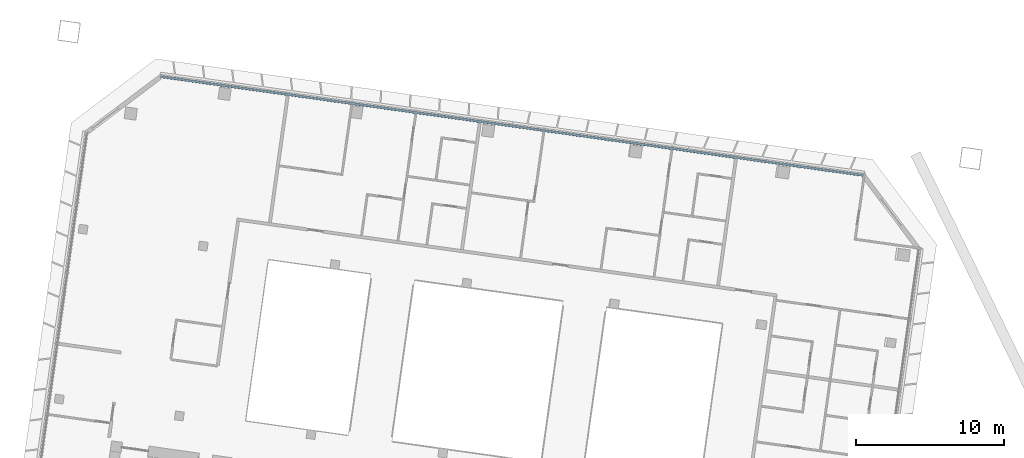
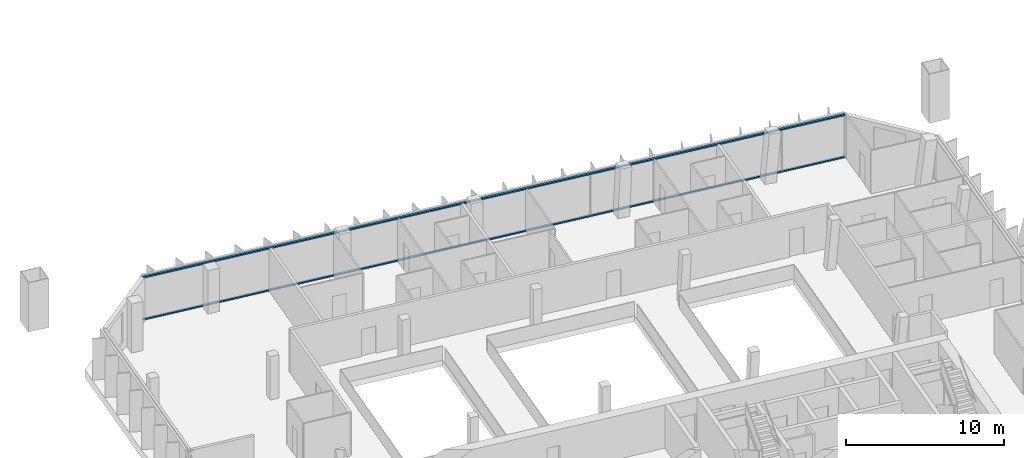
# One storey, part 5 of 26: 2 members, 1 element without a shape of its own.
"""IFC4 building model written with IfcOpenShell, lengths in metres."""

from ifc_helpers import new_model, si_unit, direction, frame, origin, origin_2d, place, context, subcontext, project, spatial, rectangle, extrude, material, material_profile, profile_set, type_object, element, aggregate, save


model = new_model("IFC4")

# Units and contexts
model_context = context("Model", 3, precision=1e-05, world=origin(), true_north=direction((0.0, 1.0)))
body_context = subcontext(model_context, "Body", "Model", "MODEL_VIEW")
ifc_project = project(units=[si_unit("LENGTHUNIT", "METRE"), si_unit("AREAUNIT", "SQUARE_METRE"), si_unit("VOLUMEUNIT", "CUBIC_METRE"), si_unit("PLANEANGLEUNIT", "RADIAN"), si_unit("MASSUNIT", "GRAM", prefix="KILO")], contexts=[model_context])

# Site, building, storey
site_placement = place(None, origin())
site = spatial("IfcSite", under=ifc_project, at=site_placement, CompositionType="ELEMENT")
building_placement = place(site_placement, origin())
building = spatial("IfcBuilding", under=site, at=building_placement, Name="Mirante Cascada Hotel Towers", CompositionType="ELEMENT")
storey_placement = place(building_placement, frame((0.0, 0.0, 203.0)))
storey = spatial("IfcBuildingStorey", under=building, at=storey_placement, Name="L48", CompositionType="ELEMENT", Elevation=203.0)

# Curtain wall, members
ifc_material_1 = material(Name="Aluminium mullion and transom frame with clear laminated glass", Category="aluminium")
curtain_wall_type = type_object("IfcCurtainWallType", Name="Ribbon curtain wall ECW1", PredefinedType="NOTDEFINED", material=ifc_material_1)
curtain_wall_placement = place(storey_placement, origin())
curtain_wall = element("IfcCurtainWall", 1, at=curtain_wall_placement, inside=storey, type_object=curtain_wall_type, Name="Front ribbon wall T1 L48", PredefinedType="NOTDEFINED")
ifc_material_2 = material(Name="Anodised aluminium extrusion", Category="aluminium")
ifc_material_profile = material_profile(ifc_material_2, rectangle(XDim=0.16, YDim=0.1, at=origin_2d()), Name="ECW1 TRANSOM 100x160")
ifc_profile_set = profile_set([ifc_material_profile], Name="Anodised aluminium extrusion")
member_type = type_object("IfcMemberType", Name="ECW1 transom 100x160", PredefinedType="USERDEFINED", material=ifc_profile_set)
member_1_placement = place(storey_placement, frame((-76.3333, 23.547, 0.05), z_axis=(0.9902679, -0.1391745, 0.0), x_axis=(0.1391745, 0.9902679, 0.0)))
member_1 = element("IfcMember", 2, at=member_1_placement, type_object=member_type, Name="ECW1 sill transom", ObjectType="TRANSOM", PredefinedType="USERDEFINED", context=body_context, shape_type="SweptSolid", body=[
    extrude(rectangle(XDim=0.16, YDim=0.1, at=origin_2d()), origin(), (0.0, 0.0, 1.0), 47.98),
])
member_2_placement = place(storey_placement, frame((-76.3333, 23.547, 3.3), z_axis=(0.9902679, -0.1391745, 0.0), x_axis=(0.1391745, 0.9902679, 0.0)))
member_2 = element("IfcMember", 3, at=member_2_placement, type_object=member_type, Name="ECW1 head transom", ObjectType="TRANSOM", PredefinedType="USERDEFINED", context=body_context, shape_type="SweptSolid", body=[
    extrude(rectangle(XDim=0.16, YDim=0.1, at=origin_2d()), origin(), (0.0, 0.0, 1.0), 47.98),
])
aggregate(curtain_wall, [member_1, member_2])

save(model, "model.ifc")
